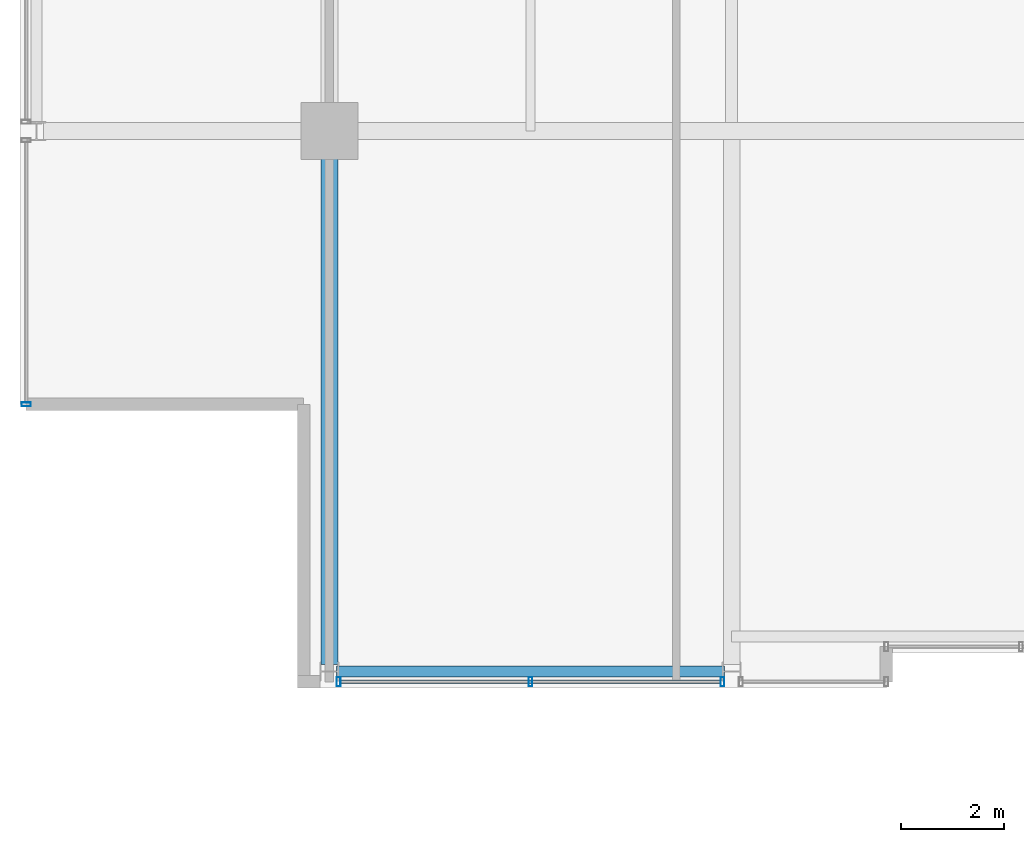
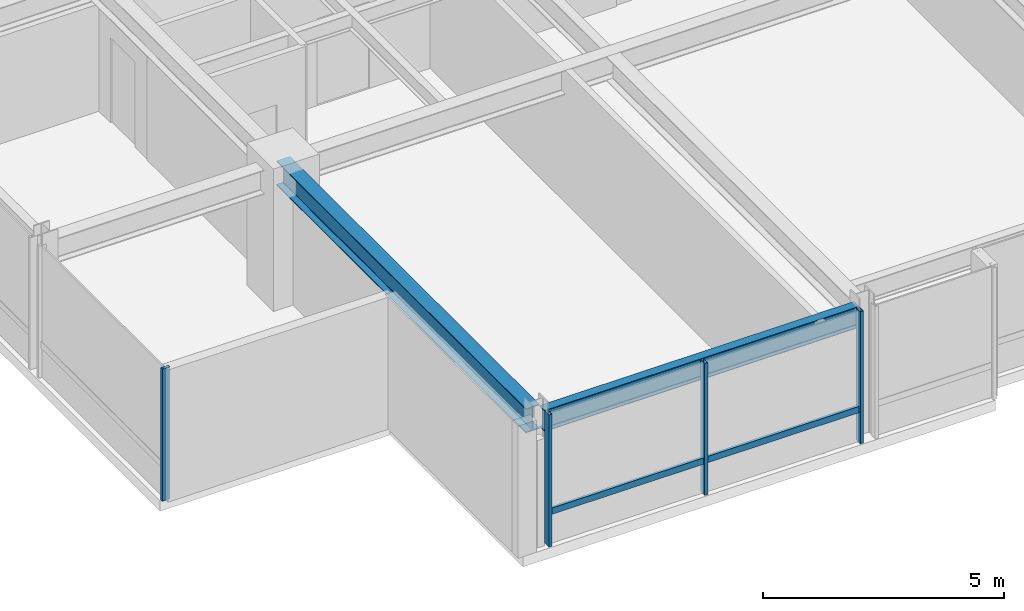
# One storey, part 3 of 32: 5 members, 2 beams, 2 elements without a shape of their own.
"""IFC4 building model written with IfcOpenShell, lengths in metres."""

from ifc_helpers import new_model, si_unit, direction, frame, origin, origin_2d, place, context, subcontext, project, spatial, hollow_rectangle, i_section, extrude, material, layer, layer_set, material_profile, profile_set, type_object, element, aggregate, save


model = new_model("IFC4")

# Units and contexts
model_context = context("Model", 3, precision=1e-05, world=origin(), true_north=direction((0.0, 1.0)))
body_context = subcontext(model_context, "Body", "Model", "MODEL_VIEW")
ifc_project = project(units=[si_unit("LENGTHUNIT", "METRE"), si_unit("AREAUNIT", "SQUARE_METRE"), si_unit("VOLUMEUNIT", "CUBIC_METRE"), si_unit("PLANEANGLEUNIT", "RADIAN"), si_unit("MASSUNIT", "GRAM", prefix="KILO")], contexts=[model_context])

# Site, building, storey
site_placement = place(None, origin())
site = spatial("IfcSite", under=ifc_project, at=site_placement, CompositionType="ELEMENT")
building_placement = place(site_placement, origin())
building = spatial("IfcBuilding", under=site, at=building_placement, Name="Drelvath Grand Hotel", CompositionType="ELEMENT")
storey_placement = place(building_placement, frame((0.0, 0.0, 241.10009765625)))
storey = spatial("IfcBuildingStorey", under=building, at=storey_placement, Name="L63", CompositionType="ELEMENT", Elevation=241.10009765625)

# Curtain wall, member
ifc_material_1 = material(Name="Platinum-Mist Anodised Aluminium Frame", Category="aluminium")
ifc_layer = layer(ifc_material_1, 0.199951171875)
ifc_layer_set = layer_set([ifc_layer], Name="Platinum-Mist Anodised Aluminium Frame")
curtain_wall_type = type_object("IfcCurtainWallType", Name="Stick Curtain Wall CW-05 Platinum Mist High-Rise", PredefinedType="NOTDEFINED", material=ifc_layer_set)
curtain_wall_1_placement = place(storey_placement, origin())
curtain_wall_1 = element("IfcCurtainWall", 1, at=curtain_wall_1_placement, inside=storey, type_object=curtain_wall_type, Name="L63 CW-05 Curtain Wall CW05-L63-SW2", PredefinedType="NOTDEFINED")
ifc_material_profile_1 = material_profile(ifc_material_1, hollow_rectangle(XDim=0.06494140625, YDim=0.159912109375, WallThickness=0.00390625, at=origin_2d()), Name="HSS160X65X4")
ifc_profile_set_1 = profile_set([ifc_material_profile_1], Name="Platinum-Mist Anodised Aluminium Frame")
member_type_1 = type_object("IfcMemberType", Name="Curtain Wall Horizontal Transom CW-05 HSS160X65X4", PredefinedType="USERDEFINED", material=ifc_profile_set_1)
member_1_placement = place(storey_placement, frame((-8.6181640625, 0.1201171875, 0.8349609375), z_axis=(-1.0, 0.0, 0.0), x_axis=(0.0, -1.0, 0.0)))
member_1 = element("IfcMember", 2, at=member_1_placement, type_object=member_type_1, Name="CW05-L63-SW2 Sill Transom", ObjectType="TRANSOM", PredefinedType="USERDEFINED", context=body_context, shape_type="SweptSolid", body=[
    extrude(hollow_rectangle(XDim=0.06494140625, YDim=0.159912109375, WallThickness=0.00390625, at=origin_2d()), origin(), (0.0, 0.0, 1.0), 7.363525390625),
])

curtain_wall_2_placement = place(storey_placement, origin())
curtain_wall_2 = element("IfcCurtainWall", 3, at=curtain_wall_2_placement, inside=storey, type_object=curtain_wall_type, Name="L63 CW-05 Curtain Wall CW05-L63-WS1", PredefinedType="NOTDEFINED")
ifc_material_profile_2 = material_profile(ifc_material_1, hollow_rectangle(XDim=0.074951171875, YDim=0.179931640625, WallThickness=0.0048828125, at=origin_2d()), Name="HSS180X75X5")
ifc_profile_set_2 = profile_set([ifc_material_profile_2], Name="Platinum-Mist Anodised Aluminium Frame")
member_type_2 = type_object("IfcMemberType", Name="Curtain Wall Vertical Mullion CW-05 HSS180X75X5", PredefinedType="MULLION", material=ifc_profile_set_2)
member_2_placement = place(storey_placement, frame((-22.080078125, 5.5, 0.0), z_axis=(0.0, 0.0, 1.0), x_axis=(0.0, 1.0, 0.0)))
member_2 = element("IfcMember", 4, at=member_2_placement, type_object=member_type_2, Name="CW05-L63-WS1 Mullion 1", PredefinedType="MULLION", context=body_context, shape_type="SweptSolid", body=[
    extrude(hollow_rectangle(XDim=0.074951171875, YDim=0.179931640625, WallThickness=0.0048828125, at=origin_2d()), origin(), (0.0, 0.0, 1.0), 3.33984375),
])
aggregate(curtain_wall_2, [member_2])

# Member
member_3_placement = place(storey_placement, frame((-8.578125, 0.1201171875, 0.0), z_axis=(0.0, 0.0, 1.0), x_axis=(1.0, 0.0, 0.0)))
member_3 = element("IfcMember", 5, at=member_3_placement, type_object=member_type_2, Name="CW05-L63-SW2 Mullion 1", PredefinedType="MULLION", context=body_context, shape_type="SweptSolid", body=[
    extrude(hollow_rectangle(XDim=0.074951171875, YDim=0.179931640625, WallThickness=0.0048828125, at=origin_2d()), origin(), (0.0, 0.0, 1.0), 3.33984375),
])

member_4_placement = place(storey_placement, frame((-12.300048828125, 0.1201171875, 0.0), z_axis=(0.0, 0.0, 1.0), x_axis=(1.0, 0.0, 0.0)))
member_4 = element("IfcMember", 6, at=member_4_placement, type_object=member_type_2, Name="CW05-L63-SW2 Mullion 2", PredefinedType="MULLION", context=body_context, shape_type="SweptSolid", body=[
    extrude(hollow_rectangle(XDim=0.074951171875, YDim=0.179931640625, WallThickness=0.0048828125, at=origin_2d()), origin(), (0.0, 0.0, 1.0), 3.33984375),
])

member_5_placement = place(storey_placement, frame((-16.021728515625, 0.1201171875, 0.0), z_axis=(0.0, 0.0, 1.0), x_axis=(1.0, 0.0, 0.0)))
member_5 = element("IfcMember", 7, at=member_5_placement, type_object=member_type_2, Name="CW05-L63-SW2 Mullion 3", PredefinedType="MULLION", context=body_context, shape_type="SweptSolid", body=[
    extrude(hollow_rectangle(XDim=0.074951171875, YDim=0.179931640625, WallThickness=0.0048828125, at=origin_2d()), origin(), (0.0, 0.0, 1.0), 3.33984375),
])

aggregate(curtain_wall_1, [member_3, member_4, member_5, member_1])

# Beams
ifc_material_2 = material(Name="Steel ASTM A992 Gr 50", Category="steel")
ifc_material_profile_3 = material_profile(ifc_material_2, i_section(OverallWidth=0.210205078125, OverallDepth=0.53662109375, WebThickness=0.010986328125, FlangeThickness=0.017333984375, FilletRadius=0.01806640625, at=origin_2d()), Name="W21X68")
ifc_profile_set_3 = profile_set([ifc_material_profile_3], Name="Steel ASTM A992 Gr 50")
beam_type_1 = type_object("IfcBeamType", Name="Perimeter Spandrel Beam W21X68", PredefinedType="SPANDREL", material=ifc_profile_set_3)
beam_1_placement = place(storey_placement, frame((-16.06005859375, 0.320068359375, 3.071533203125), z_axis=(1.0, 0.0, 0.0), x_axis=(0.0, 1.0, 0.0)))
element("IfcBeam", 8, at=beam_1_placement, inside=storey, type_object=beam_type_1, Name="L63 Spandrel South W", PredefinedType="SPANDREL", context=body_context, shape_type="SweptSolid", body=[
    extrude(i_section(OverallWidth=0.210205078125, OverallDepth=0.53662109375, WebThickness=0.010986328125, FlangeThickness=0.017333984375, FilletRadius=0.01806640625, at=origin_2d()), origin(), (0.0, 0.0, 1.0), 7.52001953125),
])
ifc_material_profile_4 = material_profile(ifc_material_2, i_section(OverallWidth=0.323974609375, OverallDepth=0.611083984375, WebThickness=0.0126953125, FlangeThickness=0.01904296875, FilletRadius=0.02197265625, at=origin_2d()), Name="W24X104")
ifc_profile_set_4 = profile_set([ifc_material_profile_4], Name="Steel ASTM A992 Gr 50")
beam_type_2 = type_object("IfcBeamType", Name="Primary Floor Girder W24X104", PredefinedType="BEAM", material=ifc_profile_set_4)
beam_2_placement = place(storey_placement, frame((-16.199951171875, 0.4599609375, 3.034423828125), z_axis=(0.0, 1.0, 0.0), x_axis=(-1.0, 0.0, 0.0)))
element("IfcBeam", 9, at=beam_2_placement, inside=storey, type_object=beam_type_2, Name="L63 South Grid Girder 3", PredefinedType="BEAM", context=body_context, shape_type="SweptSolid", body=[
    extrude(i_section(OverallWidth=0.323974609375, OverallDepth=0.611083984375, WebThickness=0.0126953125, FlangeThickness=0.01904296875, FilletRadius=0.02197265625, at=origin_2d()), origin(), (0.0, 0.0, 1.0), 10.340087890625),
])

save(model, "model.ifc")
